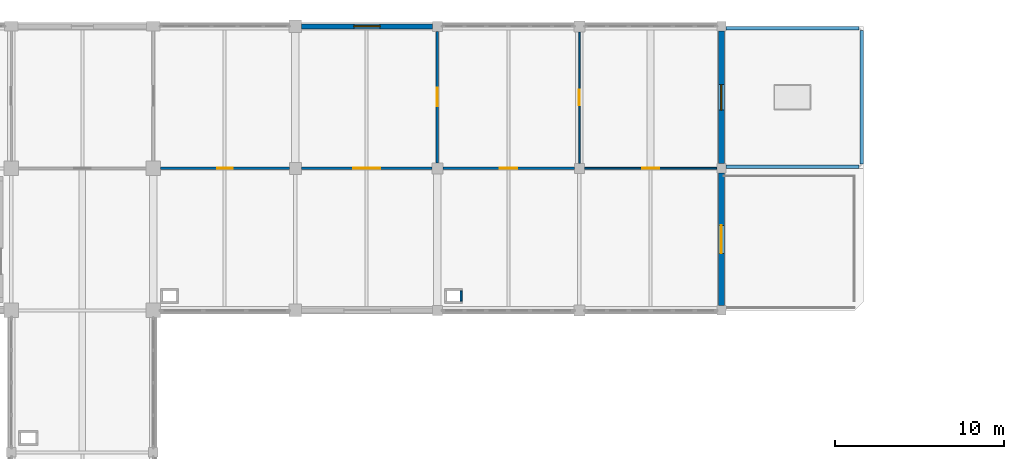
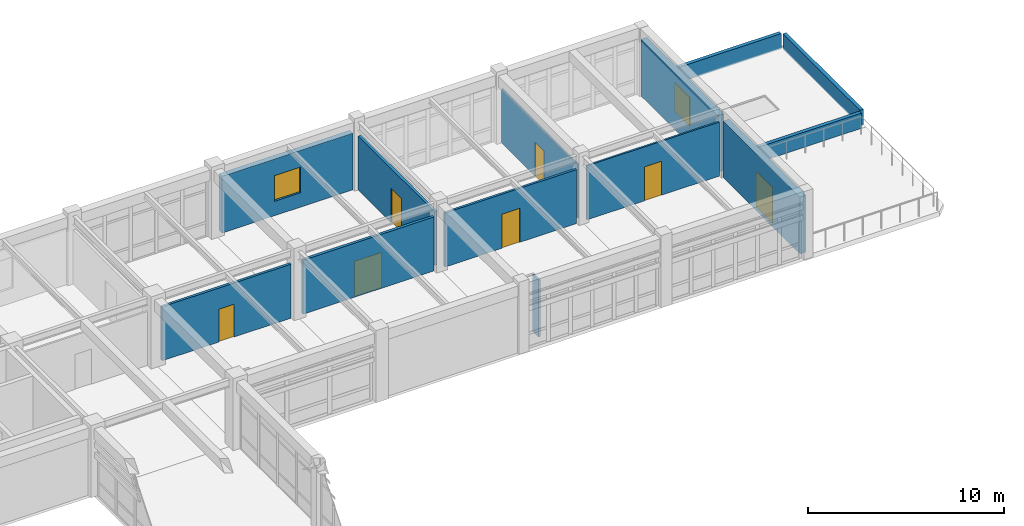
# One storey, part 73 of 78: 13 walls, 7 doors, 2 windows, 9 openings.
"""IFC4 building model written with IfcOpenShell, lengths in metres."""

from ifc_helpers import new_model, si_unit, direction, frame, frame_2d, origin, place, context, subcontext, project, spatial, rectangle, extrude, material, layer, layer_set, type_object, element, fill, save


model = new_model("IFC4")

# Units and contexts
model_context = context("Model", 3, precision=1e-05, world=origin(), true_north=direction((0.0, 1.0)))
body_context = subcontext(model_context, "Body", "Model", "MODEL_VIEW")
ifc_project = project(units=[si_unit("LENGTHUNIT", "METRE"), si_unit("AREAUNIT", "SQUARE_METRE"), si_unit("VOLUMEUNIT", "CUBIC_METRE"), si_unit("PLANEANGLEUNIT", "RADIAN"), si_unit("MASSUNIT", "GRAM", prefix="KILO")], contexts=[model_context])

# Site, building, storey
site_placement = place(None, origin())
site = spatial("IfcSite", under=ifc_project, at=site_placement, CompositionType="ELEMENT")
building_placement = place(site_placement, origin())
building = spatial("IfcBuilding", under=site, at=building_placement, Name="Porcellanite Civic Hall", CompositionType="ELEMENT")
storey_placement = place(building_placement, frame((0.0, 0.0, 10.260009765625)))
storey = spatial("IfcBuildingStorey", under=building, at=storey_placement, Name="L02", CompositionType="ELEMENT", Elevation=10.260009765625)

# Wall, opening, window
ifc_material_1 = material(Name="Precast concrete N40 (40 MPa)", Category="concrete")
ifc_layer_1 = layer(ifc_material_1, 0.300048828125)
ifc_layer_set_1 = layer_set([ifc_layer_1], Name="Precast concrete N40 (40 MPa)")
wall_type_1 = type_object("IfcWallType", Name="EW-ADM300", PredefinedType="SOLIDWALL", material=ifc_layer_set_1)
wall_1_placement = place(storey_placement, frame((134.77587890625, 117.60009765625, 0.0), z_axis=(0.0, 0.0, 1.0), x_axis=(1.0, 0.0, 0.0)))
wall_1 = element("IfcWall", 1, at=wall_1_placement, inside=storey, type_object=wall_type_1, Name="Exterior wall L02 N 17-14", PredefinedType="SOLIDWALL", context=body_context, shape_type="SweptSolid", body=[
    extrude(rectangle(XDim=7.72314453125, YDim=0.300048828125, at=frame_2d((3.861572265625, 0.0))), origin(), (0.0, 0.0, 1.0), 3.5400390625),
])
opening_1_placement = place(wall_1_placement, frame((3.0869140625, 0.0, 0.89990234375)))
opening_1 = element("IfcOpeningElement", 2, at=opening_1_placement, cuts=wall_1, Name="Opening W38", PredefinedType="OPENING", context=body_context, shape_type="SweptSolid", body=[
    extrude(rectangle(XDim=1.550048828125, YDim=1.60009765625, at=frame_2d((0.77490234375, 0.800048828125))), frame((0.0, 0.14990234375, 0.0), z_axis=(0.0, -1.0, 0.0), x_axis=(1.0, 0.0, 0.0)), (0.0, 0.0, 1.0), 0.300048828125),
])
ifc_material_2 = material(Name="Cyclone laminated low-E glazing in anodised aluminium frame", Category="aluminium")
window_type_1 = type_object("IfcWindowType", Name="WN-38", PartitioningType="SINGLE_PANEL", PredefinedType="WINDOW", material=ifc_material_2)
window_1_placement = place(opening_1_placement, origin())
window_1 = element("IfcWindow", 3, at=window_1_placement, inside=storey, type_object=window_type_1, Name="Window W38 L02 N 17-14", OverallHeight=1.60009765625, OverallWidth=1.550048828125, PartitioningType="SINGLE_PANEL", PredefinedType="WINDOW", context=body_context, shape_type="SweptSolid", body=[
    extrude(rectangle(XDim=1.550048828125, YDim=1.60009765625, at=frame_2d((0.77490234375, 0.800048828125))), frame((0.0, 0.030029296875, 0.0), z_axis=(0.0, -1.0, 0.0), x_axis=(1.0, 0.0, 0.0)), (0.0, 0.0, 1.0), 0.06005859375),
])
fill(opening_1, window_1)

# Wall, opening, door
ifc_material_3 = material(Name="Precast concrete N40 (40 MPa)", Category="concrete")
ifc_layer_2 = layer(ifc_material_3, 0.360107421875)
ifc_layer_set_2 = layer_set([ifc_layer_2], Name="Precast concrete N40 (40 MPa)")
wall_type_2 = type_object("IfcWallType", Name="EW-LIB360", PredefinedType="SOLIDWALL", material=ifc_layer_set_2)
wall_2_placement = place(storey_placement, frame((159.60009765625, 108.924072265625, 0.0), z_axis=(0.0, 0.0, 1.0), x_axis=(0.0, -1.0, 0.0)))
wall_2 = element("IfcWall", 4, at=wall_2_placement, inside=storey, type_object=wall_type_2, Name="Exterior wall L02 E 19-13", PredefinedType="SOLIDWALL", context=body_context, shape_type="SweptSolid", body=[
    extrude(rectangle(XDim=7.84814453125, YDim=0.360107421875, at=frame_2d((3.924072265625, 0.0))), origin(), (0.0, 0.0, 1.0), 3.5400390625),
])
opening_2_placement = place(wall_2_placement, frame((3.09912109375, 0.0, 0.0)))
opening_2 = element("IfcOpeningElement", 5, at=opening_2_placement, cuts=wall_2, Name="Opening TD-07", PredefinedType="OPENING", context=body_context, shape_type="SweptSolid", body=[
    extrude(rectangle(XDim=1.64990234375, YDim=2.199951171875, at=frame_2d((0.824951171875, 1.10009765625))), frame((0.0, 0.18017578125, 0.0), z_axis=(0.0, -1.0, 0.0), x_axis=(1.0, 0.0, 0.0)), (0.0, 0.0, 1.0), 0.360107421875),
])
ifc_material_4 = material(Name="Anodised aluminium and laminated safety glass", Category="aluminium")
door_type_1 = type_object("IfcDoorType", Name="DR-TER165", OperationType="DOUBLE_DOOR_SINGLE_SWING", PredefinedType="DOOR", material=ifc_material_4)
door_1_placement = place(opening_2_placement, origin())
door_1 = element("IfcDoor", 6, at=door_1_placement, inside=storey, type_object=door_type_1, Name="Civic terrace door TD-07", OperationType="DOUBLE_DOOR_SINGLE_SWING", OverallHeight=2.199951171875, OverallWidth=1.64990234375, PredefinedType="DOOR", context=body_context, shape_type="SweptSolid", body=[
    extrude(rectangle(XDim=1.64990234375, YDim=2.199951171875, at=frame_2d((0.824951171875, 1.10009765625))), frame((0.0, 0.02490234375, 0.0), z_axis=(0.0, -1.0, 0.0), x_axis=(1.0, 0.0, 0.0)), (0.0, 0.0, 1.0), 0.050048828125),
])
fill(opening_2, door_1)

# Wall, opening, window
wall_3_placement = place(storey_placement, frame((159.60009765625, 117.323974609375, 0.0), z_axis=(0.0, 0.0, 1.0), x_axis=(0.0, -1.0, 0.0)))
wall_3 = element("IfcWall", 7, at=wall_3_placement, inside=storey, type_object=wall_type_2, Name="Exterior wall L02 E 19-14", PredefinedType="SOLIDWALL", context=body_context, shape_type="SweptSolid", body=[
    extrude(rectangle(XDim=7.847900390625, YDim=0.360107421875, at=frame_2d((3.923828125, 0.0))), origin(), (0.0, 0.0, 1.0), 3.5400390625),
])
opening_3_placement = place(wall_3_placement, frame((3.174072265625, 0.0, 0.89990234375)))
opening_3 = element("IfcOpeningElement", 8, at=opening_3_placement, cuts=wall_3, Name="Opening W04", PredefinedType="OPENING", context=body_context, shape_type="SweptSolid", body=[
    extrude(rectangle(XDim=1.5, YDim=1.800048828125, at=frame_2d((0.75, 0.89990234375))), frame((0.0, 0.18017578125, 0.0), z_axis=(0.0, -1.0, 0.0), x_axis=(1.0, 0.0, 0.0)), (0.0, 0.0, 1.0), 0.360107421875),
])
ifc_material_5 = material(Name="Cyclone laminated low-E glazing in anodised aluminium frame", Category="aluminium")
window_type_2 = type_object("IfcWindowType", Name="WN-04", PartitioningType="SINGLE_PANEL", PredefinedType="WINDOW", material=ifc_material_5)
window_2_placement = place(opening_3_placement, origin())
window_2 = element("IfcWindow", 9, at=window_2_placement, inside=storey, type_object=window_type_2, Name="Window W04 L02 E 19-14", OverallHeight=1.800048828125, OverallWidth=1.5, PartitioningType="SINGLE_PANEL", PredefinedType="WINDOW", context=body_context, shape_type="SweptSolid", body=[
    extrude(rectangle(XDim=1.5, YDim=1.800048828125, at=frame_2d((0.75, 0.89990234375))), frame((0.0, 0.030029296875, 0.0), z_axis=(0.0, -1.0, 0.0), x_axis=(1.0, 0.0, 0.0)), (0.0, 0.0, 1.0), 0.06005859375),
])
fill(opening_3, window_2)

# Wall
ifc_material_6 = material(Name="Fire-rated shaftwall plasterboard on steel studs", Category="steel")
ifc_layer_3 = layer(ifc_material_6, 0.117919921875)
ifc_layer_set_3 = layer_set([ifc_layer_3], Name="Fire-rated shaftwall plasterboard on steel studs")
wall_type_3 = type_object("IfcWallType", Name="IW-FR118", PredefinedType="PARTITIONING", material=ifc_layer_set_3)
wall_4_placement = place(storey_placement, frame((144.208984375, 101.35009765625, 0.0), z_axis=(0.0, 0.0, 1.0), x_axis=(0.0, 1.0, 0.0)))
element("IfcWall", 10, at=wall_4_placement, inside=storey, type_object=wall_type_3, Name="Fire riser shaftwall E L02 17-12", PredefinedType="PARTITIONING", context=body_context, shape_type="SweptSolid", body=[
    extrude(rectangle(XDim=0.599853515625, YDim=0.117919921875, at=frame_2d((0.2998046875, 0.0))), origin(), (0.0, 0.0, 1.0), 3.530029296875),
])

# Wall, opening, door
ifc_material_7 = material(Name="Fire-rated plasterboard on light-gauge steel studs", Category="steel")
ifc_layer_4 = layer(ifc_material_7, 0.14794921875)
ifc_layer_set_4 = layer_set([ifc_layer_4], Name="Fire-rated plasterboard on light-gauge steel studs")
wall_type_4 = type_object("IfcWallType", Name="IW-FR148", PredefinedType="PARTITIONING", material=ifc_layer_set_4)
wall_5_placement = place(storey_placement, frame((126.427001953125, 109.199951171875, 0.0), z_axis=(0.0, 0.0, 1.0), x_axis=(1.0, 0.0, 0.0)))
wall_5 = element("IfcWall", 11, at=wall_5_placement, inside=storey, type_object=wall_type_4, Name="Fire compartment wall L02 H 16-13", PredefinedType="PARTITIONING", context=body_context, shape_type="SweptSolid", body=[
    extrude(rectangle(XDim=7.62109375, YDim=0.14794921875, at=frame_2d((3.810546875, 0.0))), origin(), (0.0, 0.0, 1.0), 3.369873046875),
])
opening_4_placement = place(wall_5_placement, frame((3.361083984375, 0.0, 0.0)))
opening_4 = element("IfcOpeningElement", 12, at=opening_4_placement, cuts=wall_5, Name="Opening D-L02-344", PredefinedType="OPENING", context=body_context, shape_type="SweptSolid", body=[
    extrude(rectangle(XDim=0.89990234375, YDim=2.050048828125, at=frame_2d((0.449951171875, 1.02490234375))), frame((0.0, 0.073974609375, 0.0), z_axis=(0.0, -1.0, 0.0), x_axis=(1.0, 0.0, 0.0)), (0.0, 0.0, 1.0), 0.14794921875),
])
ifc_material_8 = material(Name="Fire-rated steel riser access leaf", Category="steel")
door_type_2 = type_object("IfcDoorType", Name="DR-FD090", OperationType="NOTDEFINED", PredefinedType="DOOR", material=ifc_material_8)
door_2_placement = place(opening_4_placement, origin())
door_2 = element("IfcDoor", 13, at=door_2_placement, inside=storey, type_object=door_type_2, Name="Interior door D-L02-344", OperationType="SINGLE_SWING_RIGHT", OverallHeight=2.050048828125, OverallWidth=0.89990234375, PredefinedType="DOOR", context=body_context, shape_type="SweptSolid", body=[
    extrude(rectangle(XDim=0.89990234375, YDim=2.050048828125, at=frame_2d((0.449951171875, 1.02490234375))), frame((0.0, 0.02490234375, 0.0), z_axis=(0.0, -1.0, 0.0), x_axis=(1.0, 0.0, 0.0)), (0.0, 0.0, 1.0), 0.050048828125),
])
fill(opening_4, door_2)

ifc_material_9 = material(Name="Fire-rated plasterboard on light-gauge steel studs", Category="steel")
ifc_layer_5 = layer(ifc_material_9, 0.159912109375)
ifc_layer_set_5 = layer_set([ifc_layer_5], Name="Fire-rated plasterboard on light-gauge steel studs")
wall_type_5 = type_object("IfcWallType", Name="IW-FR160", PredefinedType="PARTITIONING", material=ifc_layer_set_5)
wall_6_placement = place(storey_placement, frame((134.751953125, 109.199951171875, 0.0), z_axis=(0.0, 0.0, 1.0), x_axis=(1.0, 0.0, 0.0)))
wall_6 = element("IfcWall", 14, at=wall_6_placement, inside=storey, type_object=wall_type_5, Name="Fire compartment wall L02 H 17-13", PredefinedType="PARTITIONING", context=body_context, shape_type="SweptSolid", body=[
    extrude(rectangle(XDim=7.720947265625, YDim=0.159912109375, at=frame_2d((3.8603515625, 0.0))), origin(), (0.0, 0.0, 1.0), 3.369873046875),
])
opening_5_placement = place(wall_6_placement, frame((3.06103515625, 0.0, 0.0)))
opening_5 = element("IfcOpeningElement", 15, at=opening_5_placement, cuts=wall_6, Name="Opening D-L02-346", PredefinedType="OPENING", context=body_context, shape_type="SweptSolid", body=[
    extrude(rectangle(XDim=1.60009765625, YDim=2.199951171875, at=frame_2d((0.800048828125, 1.10009765625))), frame((0.0, 0.080078125, 0.0), z_axis=(0.0, -1.0, 0.0), x_axis=(1.0, 0.0, 0.0)), (0.0, 0.0, 1.0), 0.159912109375),
])
ifc_material_10 = material(Name="Fire-rated steel and Georgian wired glass", Category="steel")
door_type_3 = type_object("IfcDoorType", Name="DR-FD160", OperationType="DOUBLE_DOOR_SINGLE_SWING", PredefinedType="DOOR", material=ifc_material_10)
door_3_placement = place(opening_5_placement, origin())
door_3 = element("IfcDoor", 16, at=door_3_placement, inside=storey, type_object=door_type_3, Name="Interior door D-L02-346", OperationType="DOUBLE_DOOR_SINGLE_SWING", OverallHeight=2.199951171875, OverallWidth=1.60009765625, PredefinedType="DOOR", context=body_context, shape_type="SweptSolid", body=[
    extrude(rectangle(XDim=1.60009765625, YDim=2.199951171875, at=frame_2d((0.800048828125, 1.10009765625))), frame((0.0, 0.02490234375, 0.0), z_axis=(0.0, -1.0, 0.0), x_axis=(1.0, 0.0, 0.0)), (0.0, 0.0, 1.0), 0.050048828125),
])
fill(opening_5, door_3)

wall_7_placement = place(storey_placement, frame((142.800048828125, 109.527099609375, 0.0), z_axis=(0.0, 0.0, 1.0), x_axis=(0.0, 1.0, 0.0)))
wall_7 = element("IfcWall", 17, at=wall_7_placement, inside=storey, type_object=wall_type_5, Name="Fire compartment wall L02 V 17-14", PredefinedType="PARTITIONING", context=body_context, shape_type="SweptSolid", body=[
    extrude(rectangle(XDim=7.77099609375, YDim=0.159912109375, at=frame_2d((3.885498046875, 0.0))), origin(), (0.0, 0.0, 1.0), 3.369873046875),
])
opening_6_placement = place(wall_7_placement, frame((3.3349609375, 0.0, 0.0)))
opening_6 = element("IfcOpeningElement", 18, at=opening_6_placement, cuts=wall_7, Name="Opening D-L02-383", PredefinedType="OPENING", context=body_context, shape_type="SweptSolid", body=[
    extrude(rectangle(XDim=1.10009765625, YDim=2.14990234375, at=frame_2d((0.550048828125, 1.074951171875))), frame((0.0, 0.080078125, 0.0), z_axis=(0.0, -1.0, 0.0), x_axis=(1.0, 0.0, 0.0)), (0.0, 0.0, 1.0), 0.159912109375),
])
ifc_material_11 = material(Name="Fire-rated solid-core hardwood timber", Category="wood")
door_type_4 = type_object("IfcDoorType", Name="DR-FD110", OperationType="NOTDEFINED", PredefinedType="DOOR", material=ifc_material_11)
door_4_placement = place(opening_6_placement, origin())
door_4 = element("IfcDoor", 19, at=door_4_placement, inside=storey, type_object=door_type_4, Name="Interior door D-L02-383", OperationType="SINGLE_SWING_LEFT", OverallHeight=2.14990234375, OverallWidth=1.10009765625, PredefinedType="DOOR", context=body_context, shape_type="SweptSolid", body=[
    extrude(rectangle(XDim=1.10009765625, YDim=2.14990234375, at=frame_2d((0.550048828125, 1.074951171875))), frame((0.0, 0.02490234375, 0.0), z_axis=(0.0, -1.0, 0.0), x_axis=(1.0, 0.0, 0.0)), (0.0, 0.0, 1.0), 0.050048828125),
])
fill(opening_6, door_4)

ifc_material_12 = material(Name="Insulated acoustic plasterboard on light-gauge steel studs", Category="steel")
ifc_layer_6 = layer(ifc_material_12, 0.087890625)
ifc_layer_set_6 = layer_set([ifc_layer_6], Name="Insulated acoustic plasterboard on light-gauge steel studs")
wall_type_6 = type_object("IfcWallType", Name="IW-PT088", PredefinedType="PARTITIONING", material=ifc_layer_set_6)
wall_8_placement = place(storey_placement, frame((151.199951171875, 109.501953125, 0.0), z_axis=(0.0, 0.0, 1.0), x_axis=(0.0, 1.0, 0.0)))
wall_8 = element("IfcWall", 20, at=wall_8_placement, inside=storey, type_object=wall_type_6, Name="Partition L02 V 18-14", PredefinedType="PARTITIONING", context=body_context, shape_type="SweptSolid", body=[
    extrude(rectangle(XDim=7.77099609375, YDim=0.087890625, at=frame_2d((3.885498046875, 0.0))), origin(), (0.0, 0.0, 1.0), 3.369873046875),
])
opening_7_placement = place(wall_8_placement, frame((3.4208984375, 0.0, 0.0)))
opening_7 = element("IfcOpeningElement", 21, at=opening_7_placement, cuts=wall_8, Name="Opening D-L02-402", PredefinedType="OPENING", context=body_context, shape_type="SweptSolid", body=[
    extrude(rectangle(XDim=0.929931640625, YDim=2.1201171875, at=frame_2d((0.46484375, 1.06005859375))), frame((0.0, 0.0439453125, 0.0), z_axis=(0.0, -1.0, 0.0), x_axis=(1.0, 0.0, 0.0)), (0.0, 0.0, 1.0), 0.087890625),
])
ifc_material_13 = material(Name="Solid-core spotted-gum timber", Category="wood")
door_type_5 = type_object("IfcDoorType", Name="DR-RM093", OperationType="NOTDEFINED", PredefinedType="DOOR", material=ifc_material_13)
door_5_placement = place(opening_7_placement, origin())
door_5 = element("IfcDoor", 22, at=door_5_placement, inside=storey, type_object=door_type_5, Name="Interior door D-L02-402", OperationType="SINGLE_SWING_RIGHT", OverallHeight=2.1201171875, OverallWidth=0.929931640625, PredefinedType="DOOR", context=body_context, shape_type="SweptSolid", body=[
    extrude(rectangle(XDim=0.929931640625, YDim=2.1201171875, at=frame_2d((0.46484375, 1.06005859375))), frame((0.0, 0.02490234375, 0.0), z_axis=(0.0, -1.0, 0.0), x_axis=(1.0, 0.0, 0.0)), (0.0, 0.0, 1.0), 0.050048828125),
])
fill(opening_7, door_5)

ifc_material_14 = material(Name="Insulated acoustic plasterboard on light-gauge steel studs", Category="steel")
ifc_layer_7 = layer(ifc_material_14, 0.10498046875)
ifc_layer_set_7 = layer_set([ifc_layer_7], Name="Insulated acoustic plasterboard on light-gauge steel studs")
wall_type_7 = type_object("IfcWallType", Name="IW-PT105", PredefinedType="PARTITIONING", material=ifc_layer_set_7)
wall_9_placement = place(storey_placement, frame((151.501953125, 109.199951171875, 0.0), z_axis=(0.0, 0.0, 1.0), x_axis=(1.0, 0.0, 0.0)))
wall_9 = element("IfcWall", 23, at=wall_9_placement, inside=storey, type_object=wall_type_7, Name="Partition L02 H 19-13", PredefinedType="PARTITIONING", context=body_context, shape_type="SweptSolid", body=[
    extrude(rectangle(XDim=7.821044921875, YDim=0.10498046875, at=frame_2d((3.91064453125, 0.0))), origin(), (0.0, 0.0, 1.0), 3.369873046875),
])
opening_8_placement = place(wall_9_placement, frame((3.405029296875, 0.0, 0.0)))
opening_8 = element("IfcOpeningElement", 24, at=opening_8_placement, cuts=wall_9, Name="Opening D-L02-348", PredefinedType="OPENING", context=body_context, shape_type="SweptSolid", body=[
    extrude(rectangle(XDim=1.010009765625, YDim=2.1201171875, at=frame_2d((0.5048828125, 1.06005859375))), frame((0.0, 0.052490234375, 0.0), z_axis=(0.0, -1.0, 0.0), x_axis=(1.0, 0.0, 0.0)), (0.0, 0.0, 1.0), 0.10498046875),
])
ifc_material_15 = material(Name="Solid-core spotted-gum timber", Category="wood")
door_type_6 = type_object("IfcDoorType", Name="DR-RM101", OperationType="NOTDEFINED", PredefinedType="DOOR", material=ifc_material_15)
door_6_placement = place(opening_8_placement, origin())
door_6 = element("IfcDoor", 25, at=door_6_placement, inside=storey, type_object=door_type_6, Name="Interior door D-L02-348", OperationType="SINGLE_SWING_LEFT", OverallHeight=2.1201171875, OverallWidth=1.010009765625, PredefinedType="DOOR", context=body_context, shape_type="SweptSolid", body=[
    extrude(rectangle(XDim=1.010009765625, YDim=2.1201171875, at=frame_2d((0.5048828125, 1.06005859375))), frame((0.0, 0.02490234375, 0.0), z_axis=(0.0, -1.0, 0.0), x_axis=(1.0, 0.0, 0.0)), (0.0, 0.0, 1.0), 0.050048828125),
])
fill(opening_8, door_6)

ifc_material_16 = material(Name="Insulated acoustic plasterboard on light-gauge steel studs", Category="steel")
ifc_layer_8 = layer(ifc_material_16, 0.135009765625)
ifc_layer_set_8 = layer_set([ifc_layer_8], Name="Insulated acoustic plasterboard on light-gauge steel studs")
wall_type_8 = type_object("IfcWallType", Name="IW-PT135", PredefinedType="PARTITIONING", material=ifc_layer_set_8)
wall_10_placement = place(storey_placement, frame((143.126953125, 109.199951171875, 0.0), z_axis=(0.0, 0.0, 1.0), x_axis=(1.0, 0.0, 0.0)))
wall_10 = element("IfcWall", 26, at=wall_10_placement, inside=storey, type_object=wall_type_8, Name="Partition L02 H 18-13", PredefinedType="PARTITIONING", context=body_context, shape_type="SweptSolid", body=[
    extrude(rectangle(XDim=7.77099609375, YDim=0.135009765625, at=frame_2d((3.885498046875, 0.0))), origin(), (0.0, 0.0, 1.0), 3.369873046875),
])
opening_9_placement = place(wall_10_placement, frame((3.361083984375, 0.0, 0.0)))
opening_9 = element("IfcOpeningElement", 27, at=opening_9_placement, cuts=wall_10, Name="Opening D-L02-347", PredefinedType="OPENING", context=body_context, shape_type="SweptSolid", body=[
    extrude(rectangle(XDim=1.050048828125, YDim=2.1201171875, at=frame_2d((0.52490234375, 1.06005859375))), frame((0.0, 0.0673828125, 0.0), z_axis=(0.0, -1.0, 0.0), x_axis=(1.0, 0.0, 0.0)), (0.0, 0.0, 1.0), 0.135009765625),
])
ifc_material_17 = material(Name="Solid-core spotted-gum timber", Category="wood")
door_type_7 = type_object("IfcDoorType", Name="DR-RM105", OperationType="NOTDEFINED", PredefinedType="DOOR", material=ifc_material_17)
door_7_placement = place(opening_9_placement, origin())
door_7 = element("IfcDoor", 28, at=door_7_placement, inside=storey, type_object=door_type_7, Name="Interior door D-L02-347", OperationType="SINGLE_SWING_RIGHT", OverallHeight=2.1201171875, OverallWidth=1.050048828125, PredefinedType="DOOR", context=body_context, shape_type="SweptSolid", body=[
    extrude(rectangle(XDim=1.050048828125, YDim=2.1201171875, at=frame_2d((0.52490234375, 1.06005859375))), frame((0.0, 0.02490234375, 0.0), z_axis=(0.0, -1.0, 0.0), x_axis=(1.0, 0.0, 0.0)), (0.0, 0.0, 1.0), 0.050048828125),
])
fill(opening_9, door_7)

# Walls
ifc_material_18 = material(Name="Precast concrete N40 (40 MPa)", Category="concrete")
ifc_layer_9 = layer(ifc_material_18, 0.2099609375)
ifc_layer_set_9 = layer_set([ifc_layer_9], Name="Precast concrete N40 (40 MPa)")
wall_type_9 = type_object("IfcWallType", Name="WP-PAR3", PredefinedType="PARAPET", material=ifc_layer_set_9)
for number, where, z_axis, x_axis, name in (
    (29, (167.739990234375, 109.304931640625, 0.0), (0.0, 0.0, 1.0), (-1.0, 0.0, 0.0), "Roof parapet L02 S 20-14"),
    (30, (159.860107421875, 117.4951171875, 0.0), (0.0, 0.0, 1.0), (1.0, 0.0, 0.0), "Roof parapet L02 N 20-14"),
):
    element("IfcWall", number, at=place(storey_placement, frame(where, z_axis=z_axis, x_axis=x_axis)), inside=storey, type_object=wall_type_9, Name=name, PredefinedType="PARAPET", context=body_context, shape_type="SweptSolid", body=[
        extrude(rectangle(XDim=7.8798828125, YDim=0.2099609375, at=frame_2d((3.93994140625, 0.0))), origin(), (0.0, 0.0, 1.0), 0.949951171875),
    ])
wall_11_placement = place(storey_placement, frame((167.89501953125, 117.340087890625, 0.0), z_axis=(0.0, 0.0, 1.0), x_axis=(0.0, -1.0, 0.0)))
element("IfcWall", 31, at=wall_11_placement, inside=storey, type_object=wall_type_9, Name="Roof parapet L02 E 20-14", PredefinedType="PARAPET", context=body_context, shape_type="SweptSolid", body=[
    extrude(rectangle(XDim=7.880126953125, YDim=0.2099609375, at=frame_2d((3.93994140625, 0.0))), origin(), (0.0, 0.0, 1.0), 0.949951171875),
])

save(model, "model.ifc")
